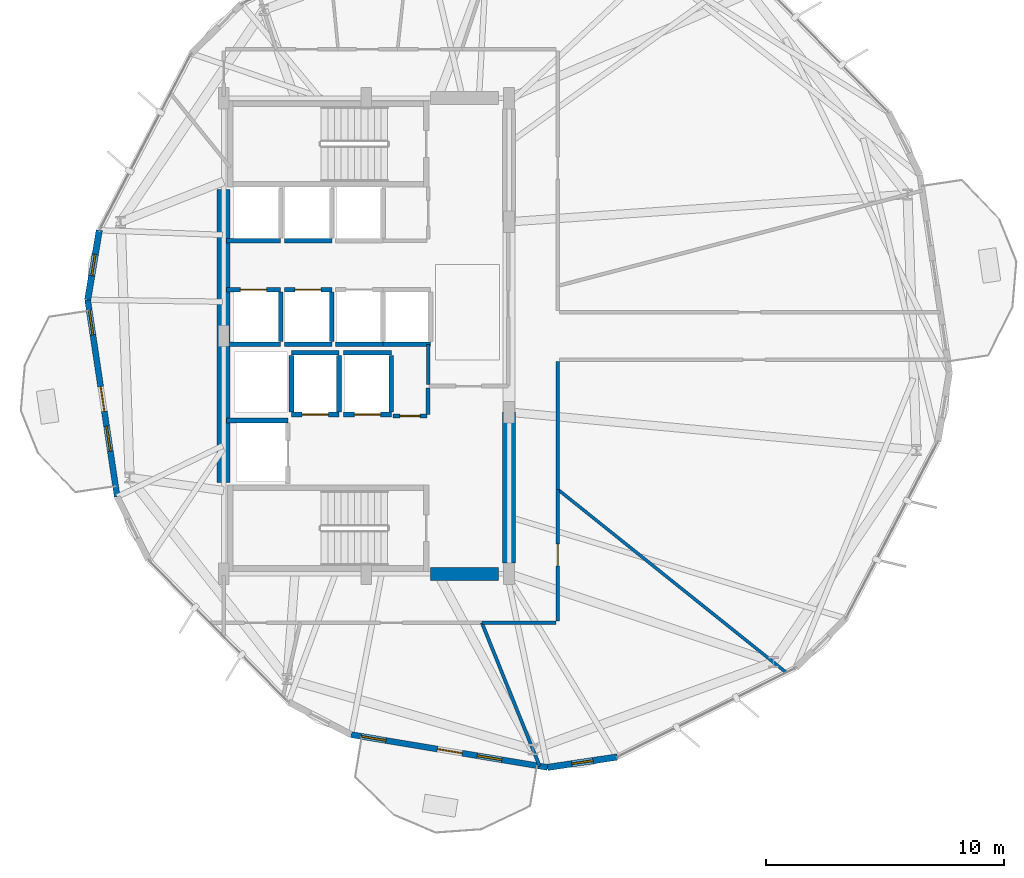
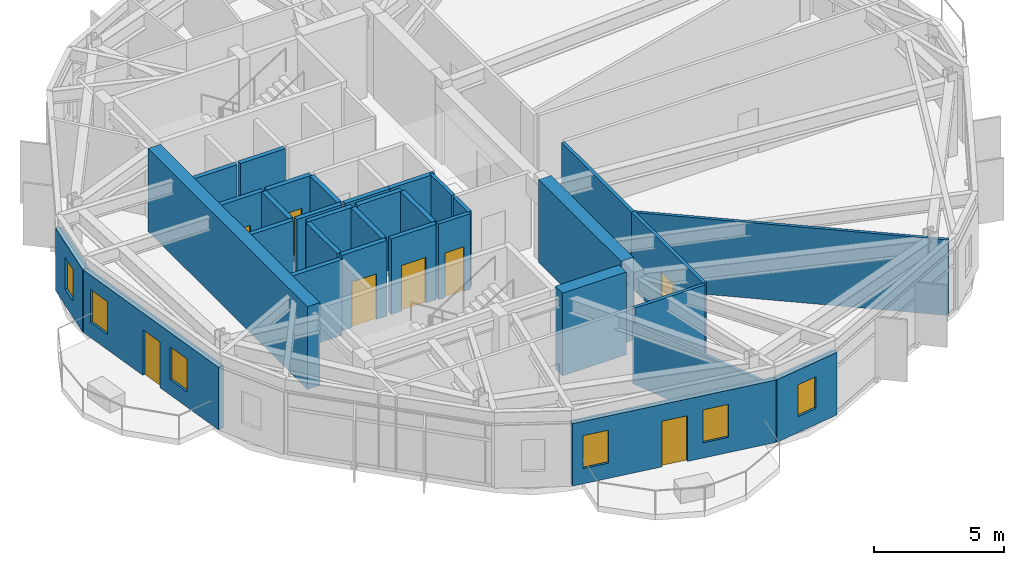
# One storey, part 17 of 22: 33 walls, 8 doors, 6 windows, 14 openings.
"""IFC4 building model written with IfcOpenShell, lengths in metres."""

from ifc_helpers import new_model, si_unit, direction, frame, frame_2d, origin, place, context, subcontext, project, spatial, rectangle, extrude, material, layer, layer_set, type_object, element, fill, save


model = new_model("IFC4")

# Units and contexts
model_context = context("Model", 3, precision=1e-05, world=origin(), true_north=direction((0.0, 1.0)))
body_context = subcontext(model_context, "Body", "Model", "MODEL_VIEW")
ifc_project = project(units=[si_unit("LENGTHUNIT", "METRE"), si_unit("AREAUNIT", "SQUARE_METRE"), si_unit("VOLUMEUNIT", "CUBIC_METRE"), si_unit("PLANEANGLEUNIT", "RADIAN"), si_unit("MASSUNIT", "GRAM", prefix="KILO")], contexts=[model_context])

# Site, building, storey
site_placement = place(None, origin())
site = spatial("IfcSite", under=ifc_project, at=site_placement, CompositionType="ELEMENT")
building_placement = place(site_placement, origin())
building = spatial("IfcBuilding", under=site, at=building_placement, Name="Soratama Intermodal Tower", CompositionType="ELEMENT")
storey_placement = place(building_placement, frame((0.0, 0.0, 130.300048828125)))
storey = spatial("IfcBuildingStorey", under=building, at=storey_placement, Name="L31", CompositionType="ELEMENT", Elevation=130.300048828125)

# Wall, openings, door, windows
ifc_material_1 = material(Name="Concrete f'c 42 MPa", Category="concrete")
ifc_layer_1 = layer(ifc_material_1, 0.25)
ifc_layer_set_1 = layer_set([ifc_layer_1], Name="Concrete f'c 42 MPa")
wall_type_1 = type_object("IfcWallType", Name="EW-BAL-250", PredefinedType="SOLIDWALL", material=ifc_layer_set_1)
wall_1_placement = place(storey_placement, frame((26.885009765625, 26.52099609375, 0.0), z_axis=(0.0, 0.0, 1.0), x_axis=(0.148183669797, -0.988959857631, 0.0)))
wall_1 = element("IfcWall", 1, at=wall_1_placement, inside=storey, type_object=wall_type_1, Name="L31 Terrace Wall F05", PredefinedType="SOLIDWALL", context=body_context, shape_type="SweptSolid", body=[
    extrude(rectangle(XDim=8.376220703125, YDim=0.25, at=frame_2d((4.18798828125, 0.0))), origin(), (0.0, 0.0, 1.0), 2.93896484375),
])
opening_1_placement = place(wall_1_placement, frame((3.68798828125, 0.0, 0.0)))
opening_1 = element("IfcOpeningElement", 2, at=opening_1_placement, cuts=wall_1, Name="Opening ED-5", PredefinedType="OPENING", context=body_context, shape_type="SweptSolid", body=[
    extrude(rectangle(XDim=1.050048828125, YDim=2.14990234375, at=frame_2d((0.52490234375, 1.074951171875))), frame((0.0, 0.135009765625, 0.0), z_axis=(0.0, -1.0, 0.0), x_axis=(1.0, 0.0, 0.0)), (0.0, 0.0, 1.0), 0.27001953125),
])
opening_2_placement = place(wall_1_placement, frame((0.43994140625, 0.0, 0.719970703125)))
opening_2 = element("IfcOpeningElement", 3, at=opening_2_placement, cuts=wall_1, Name="Opening WN-5", PredefinedType="OPENING", context=body_context, shape_type="SweptSolid", body=[
    extrude(rectangle(XDim=1.050048828125, YDim=1.550048828125, at=frame_2d((0.52490234375, 0.77490234375))), frame((0.0, 0.135009765625, 0.0), z_axis=(0.0, -1.0, 0.0), x_axis=(1.0, 0.0, 0.0)), (0.0, 0.0, 1.0), 0.27001953125),
])
opening_3_placement = place(wall_1_placement, frame((5.378173828125, 0.0, 0.719970703125)))
opening_3 = element("IfcOpeningElement", 4, at=opening_3_placement, cuts=wall_1, Name="Opening WN-5", PredefinedType="OPENING", context=body_context, shape_type="SweptSolid", body=[
    extrude(rectangle(XDim=1.050048828125, YDim=1.550048828125, at=frame_2d((0.52490234375, 0.77490234375))), frame((0.0, 0.135009765625, 0.0), z_axis=(0.0, -1.0, 0.0), x_axis=(1.0, 0.0, 0.0)), (0.0, 0.0, 1.0), 0.27001953125),
])
ifc_material_2 = material(Name="Double-glazed aluminium door", Category="aluminium")
door_type_1 = type_object("IfcDoorType", Name="DR-BAL-1050", OperationType="NOTDEFINED", PredefinedType="DOOR", material=ifc_material_2)
door_1_placement = place(opening_1_placement, origin())
door_1 = element("IfcDoor", 5, at=door_1_placement, inside=storey, type_object=door_type_1, Name="L31 Balcony Door F05", OperationType="SINGLE_SWING_LEFT", OverallHeight=2.14990234375, OverallWidth=1.050048828125, PredefinedType="DOOR", context=body_context, shape_type="SweptSolid", body=[
    extrude(rectangle(XDim=1.050048828125, YDim=2.14990234375, at=frame_2d((0.52490234375, 1.074951171875))), frame((0.0, 0.02490234375, 0.0), z_axis=(0.0, -1.0, 0.0), x_axis=(1.0, 0.0, 0.0)), (0.0, 0.0, 1.0), 0.050048828125),
])
fill(opening_1, door_1)
ifc_material_3 = material(Name="Double-glazed aluminium window", Category="aluminium")
window_type_1 = type_object("IfcWindowType", Name="WN-FAC-1050", PartitioningType="SINGLE_PANEL", PredefinedType="WINDOW", material=ifc_material_3)
window_1_placement = place(opening_2_placement, origin())
window_1 = element("IfcWindow", 6, at=window_1_placement, inside=storey, type_object=window_type_1, Name="L31 Window A F05", OverallHeight=1.550048828125, OverallWidth=1.050048828125, PartitioningType="SINGLE_PANEL", PredefinedType="WINDOW", context=body_context, shape_type="SweptSolid", body=[
    extrude(rectangle(XDim=1.050048828125, YDim=1.550048828125, at=frame_2d((0.52490234375, 0.77490234375))), frame((0.0, 0.030029296875, 0.0), z_axis=(0.0, -1.0, 0.0), x_axis=(1.0, 0.0, 0.0)), (0.0, 0.0, 1.0), 0.06005859375),
])
fill(opening_2, window_1)
window_2_placement = place(opening_3_placement, origin())
window_2 = element("IfcWindow", 7, at=window_2_placement, inside=storey, type_object=window_type_1, Name="L31 Window B F05", OverallHeight=1.550048828125, OverallWidth=1.050048828125, PartitioningType="SINGLE_PANEL", PredefinedType="WINDOW", context=body_context, shape_type="SweptSolid", body=[
    extrude(rectangle(XDim=1.050048828125, YDim=1.550048828125, at=frame_2d((0.52490234375, 0.77490234375))), frame((0.0, 0.030029296875, 0.0), z_axis=(0.0, -1.0, 0.0), x_axis=(1.0, 0.0, 0.0)), (0.0, 0.0, 1.0), 0.06005859375),
])
fill(opening_3, window_2)

wall_2_placement = place(storey_placement, frame((37.95556640625, 8.24169921875, 0.0), z_axis=(0.0, 0.0, 1.0), x_axis=(0.986341882167, -0.164710933101, 0.0)))
wall_2 = element("IfcWall", 8, at=wall_2_placement, inside=storey, type_object=wall_type_1, Name="L31 Terrace Wall F07", PredefinedType="SOLIDWALL", context=body_context, shape_type="SweptSolid", body=[
    extrude(rectangle(XDim=8.376220703125, YDim=0.25, at=frame_2d((4.18798828125, 0.0))), origin(), (0.0, 0.0, 1.0), 2.93896484375),
])
opening_4_placement = place(wall_2_placement, frame((3.68798828125, 0.0, 0.0)))
opening_4 = element("IfcOpeningElement", 9, at=opening_4_placement, cuts=wall_2, Name="Opening ED-5", PredefinedType="OPENING", context=body_context, shape_type="SweptSolid", body=[
    extrude(rectangle(XDim=1.050048828125, YDim=2.14990234375, at=frame_2d((0.52490234375, 1.074951171875))), frame((0.0, 0.135009765625, 0.0), z_axis=(0.0, -1.0, 0.0), x_axis=(1.0, 0.0, 0.0)), (0.0, 0.0, 1.0), 0.27001953125),
])
opening_5_placement = place(wall_2_placement, frame((0.43994140625, 0.0, 0.719970703125)))
opening_5 = element("IfcOpeningElement", 10, at=opening_5_placement, cuts=wall_2, Name="Opening WN-5", PredefinedType="OPENING", context=body_context, shape_type="SweptSolid", body=[
    extrude(rectangle(XDim=1.050048828125, YDim=1.550048828125, at=frame_2d((0.52490234375, 0.77490234375))), frame((0.0, 0.135009765625, 0.0), z_axis=(0.0, -1.0, 0.0), x_axis=(1.0, 0.0, 0.0)), (0.0, 0.0, 1.0), 0.27001953125),
])
opening_6_placement = place(wall_2_placement, frame((5.378173828125, 0.0, 0.719970703125)))
opening_6 = element("IfcOpeningElement", 11, at=opening_6_placement, cuts=wall_2, Name="Opening WN-5", PredefinedType="OPENING", context=body_context, shape_type="SweptSolid", body=[
    extrude(rectangle(XDim=1.050048828125, YDim=1.550048828125, at=frame_2d((0.52490234375, 0.77490234375))), frame((0.0, 0.135009765625, 0.0), z_axis=(0.0, -1.0, 0.0), x_axis=(1.0, 0.0, 0.0)), (0.0, 0.0, 1.0), 0.27001953125),
])
door_2_placement = place(opening_4_placement, origin())
door_2 = element("IfcDoor", 12, at=door_2_placement, inside=storey, type_object=door_type_1, Name="L31 Balcony Door F07", OperationType="SINGLE_SWING_LEFT", OverallHeight=2.14990234375, OverallWidth=1.050048828125, PredefinedType="DOOR", context=body_context, shape_type="SweptSolid", body=[
    extrude(rectangle(XDim=1.050048828125, YDim=2.14990234375, at=frame_2d((0.52490234375, 1.074951171875))), frame((0.0, 0.02490234375, 0.0), z_axis=(0.0, -1.0, 0.0), x_axis=(1.0, 0.0, 0.0)), (0.0, 0.0, 1.0), 0.050048828125),
])
fill(opening_4, door_2)
window_3_placement = place(opening_5_placement, origin())
window_3 = element("IfcWindow", 13, at=window_3_placement, inside=storey, type_object=window_type_1, Name="L31 Window A F07", OverallHeight=1.550048828125, OverallWidth=1.050048828125, PartitioningType="SINGLE_PANEL", PredefinedType="WINDOW", context=body_context, shape_type="SweptSolid", body=[
    extrude(rectangle(XDim=1.050048828125, YDim=1.550048828125, at=frame_2d((0.52490234375, 0.77490234375))), frame((0.0, 0.030029296875, 0.0), z_axis=(0.0, -1.0, 0.0), x_axis=(1.0, 0.0, 0.0)), (0.0, 0.0, 1.0), 0.06005859375),
])
fill(opening_5, window_3)
window_4_placement = place(opening_6_placement, origin())
window_4 = element("IfcWindow", 14, at=window_4_placement, inside=storey, type_object=window_type_1, Name="L31 Window B F07", OverallHeight=1.550048828125, OverallWidth=1.050048828125, PartitioningType="SINGLE_PANEL", PredefinedType="WINDOW", context=body_context, shape_type="SweptSolid", body=[
    extrude(rectangle(XDim=1.050048828125, YDim=1.550048828125, at=frame_2d((0.52490234375, 0.77490234375))), frame((0.0, 0.030029296875, 0.0), z_axis=(0.0, -1.0, 0.0), x_axis=(1.0, 0.0, 0.0)), (0.0, 0.0, 1.0), 0.06005859375),
])
fill(opening_6, window_4)

# Wall, opening, window
ifc_material_4 = material(Name="Concrete f'c 42 MPa", Category="concrete")
ifc_layer_2 = layer(ifc_material_4, 0.27001953125)
ifc_layer_set_2 = layer_set([ifc_layer_2], Name="Concrete f'c 42 MPa")
wall_type_2 = type_object("IfcWallType", Name="EW-CRN-270", PredefinedType="SOLIDWALL", material=ifc_layer_set_2)
wall_3_placement = place(storey_placement, frame((27.373779296875, 29.447021484375, 0.0), z_axis=(0.0, 0.0, 1.0), x_axis=(-0.164759305297, -0.986333803191, 0.0)))
wall_3 = element("IfcWall", 15, at=wall_3_placement, inside=storey, type_object=wall_type_2, Name="L31 Corner Closure Wall 04", PredefinedType="SOLIDWALL", context=body_context, shape_type="SweptSolid", body=[
    extrude(rectangle(XDim=2.966552734375, YDim=0.27001953125, at=frame_2d((1.4833984375, 0.0))), origin(), (0.0, 0.0, 1.0), 2.93896484375),
])
opening_7_placement = place(wall_3_placement, frame((1.033203125, 0.0, 0.75)))
opening_7 = element("IfcOpeningElement", 16, at=opening_7_placement, cuts=wall_3, Name="Opening WN-6", PredefinedType="OPENING", context=body_context, shape_type="SweptSolid", body=[
    extrude(rectangle(XDim=0.89990234375, YDim=1.5, at=frame_2d((0.449951171875, 0.75))), frame((0.0, 0.14501953125, 0.0), z_axis=(0.0, -1.0, 0.0), x_axis=(1.0, 0.0, 0.0)), (0.0, 0.0, 1.0), 0.2900390625),
])
ifc_material_5 = material(Name="Double-glazed aluminium window", Category="aluminium")
window_type_2 = type_object("IfcWindowType", Name="WN-FAC-900", PartitioningType="SINGLE_PANEL", PredefinedType="WINDOW", material=ifc_material_5)
window_5_placement = place(opening_7_placement, origin())
window_5 = element("IfcWindow", 17, at=window_5_placement, inside=storey, type_object=window_type_2, Name="L31 Corner Window 04", OverallHeight=1.5, OverallWidth=0.89990234375, PartitioningType="SINGLE_PANEL", PredefinedType="WINDOW", context=body_context, shape_type="SweptSolid", body=[
    extrude(rectangle(XDim=0.89990234375, YDim=1.5, at=frame_2d((0.449951171875, 0.75))), frame((0.0, 0.030029296875, 0.0), z_axis=(0.0, -1.0, 0.0), x_axis=(1.0, 0.0, 0.0)), (0.0, 0.0, 1.0), 0.06005859375),
])
fill(opening_7, window_5)

wall_4_placement = place(storey_placement, frame((46.21728515625, 6.862060546875, 0.0), z_axis=(0.0, 0.0, 1.0), x_axis=(0.988967117617, 0.148135209429, 0.0)))
wall_4 = element("IfcWall", 18, at=wall_4_placement, inside=storey, type_object=wall_type_2, Name="L31 Corner Closure Wall 07", PredefinedType="SOLIDWALL", context=body_context, shape_type="SweptSolid", body=[
    extrude(rectangle(XDim=2.966552734375, YDim=0.27001953125, at=frame_2d((1.4833984375, 0.0))), origin(), (0.0, 0.0, 1.0), 2.93896484375),
])
opening_8_placement = place(wall_4_placement, frame((1.033203125, 0.0, 0.75)))
opening_8 = element("IfcOpeningElement", 19, at=opening_8_placement, cuts=wall_4, Name="Opening WN-6", PredefinedType="OPENING", context=body_context, shape_type="SweptSolid", body=[
    extrude(rectangle(XDim=0.89990234375, YDim=1.5, at=frame_2d((0.449951171875, 0.75))), frame((0.0, 0.14501953125, 0.0), z_axis=(0.0, -1.0, 0.0), x_axis=(1.0, 0.0, 0.0)), (0.0, 0.0, 1.0), 0.2900390625),
])
window_6_placement = place(opening_8_placement, origin())
window_6 = element("IfcWindow", 20, at=window_6_placement, inside=storey, type_object=window_type_2, Name="L31 Corner Window 07", OverallHeight=1.5, OverallWidth=0.89990234375, PartitioningType="SINGLE_PANEL", PredefinedType="WINDOW", context=body_context, shape_type="SweptSolid", body=[
    extrude(rectangle(XDim=0.89990234375, YDim=1.5, at=frame_2d((0.449951171875, 0.75))), frame((0.0, 0.030029296875, 0.0), z_axis=(0.0, -1.0, 0.0), x_axis=(1.0, 0.0, 0.0)), (0.0, 0.0, 1.0), 0.06005859375),
])
fill(opening_8, window_6)

# Wall, opening, door
ifc_material_6 = material(Name="Fire-rated gypsum stud partition", Category="concrete")
ifc_layer_3 = layer(ifc_material_6, 0.14990234375)
ifc_layer_set_3 = layer_set([ifc_layer_3], Name="Fire-rated gypsum stud partition")
wall_type_3 = type_object("IfcWallType", Name="IW-PART-R150", PredefinedType="PARTITIONING", material=ifc_layer_set_3)
wall_5_placement = place(storey_placement, frame((46.64990234375, 18.550048828125, 0.0), z_axis=(0.0, 0.0, 1.0), x_axis=(0.0, -1.0, 0.0)))
wall_5 = element("IfcWall", 21, at=wall_5_placement, inside=storey, type_object=wall_type_3, Name="L31 Partition W-L31-TP010", PredefinedType="PARTITIONING", context=body_context, shape_type="SweptSolid", body=[
    extrude(rectangle(XDim=5.530029296875, YDim=0.14990234375, at=frame_2d((2.76513671875, 0.0))), origin(), (0.0, 0.0, 1.0), 3.56005859375),
])
opening_9_placement = place(wall_5_placement, frame((2.2900390625, 0.0, 0.0)))
opening_9 = element("IfcOpeningElement", 22, at=opening_9_placement, cuts=wall_5, Name="Opening ID-6", PredefinedType="OPENING", context=body_context, shape_type="SweptSolid", body=[
    extrude(rectangle(XDim=0.919921875, YDim=2.1201171875, at=frame_2d((0.4599609375, 1.06005859375))), frame((0.0, 0.0849609375, 0.0), z_axis=(0.0, -1.0, 0.0), x_axis=(1.0, 0.0, 0.0)), (0.0, 0.0, 1.0), 0.169921875),
])
ifc_material_7 = material(Name="Solid hardwood acoustic door", Category="wood")
door_type_2 = type_object("IfcDoorType", Name="DR-ROOM-920", OperationType="NOTDEFINED", PredefinedType="DOOR", material=ifc_material_7)
door_3_placement = place(opening_9_placement, origin())
door_3 = element("IfcDoor", 23, at=door_3_placement, inside=storey, type_object=door_type_2, Name="L31 Door D-L31-TP006", OperationType="SINGLE_SWING_LEFT", OverallHeight=2.1201171875, OverallWidth=0.919921875, PredefinedType="DOOR", context=body_context, shape_type="SweptSolid", body=[
    extrude(rectangle(XDim=0.919921875, YDim=2.1201171875, at=frame_2d((0.4599609375, 1.06005859375))), frame((0.0, 0.02490234375, 0.0), z_axis=(0.0, -1.0, 0.0), x_axis=(1.0, 0.0, 0.0)), (0.0, 0.0, 1.0), 0.050048828125),
])
fill(opening_9, door_3)

# Walls
wall_6_placement = place(storey_placement, frame((46.64990234375, 23.929931640625, 0.0), z_axis=(0.0, 0.0, 1.0), x_axis=(0.0, -1.0, 0.0)))
element("IfcWall", 24, at=wall_6_placement, inside=storey, type_object=wall_type_3, Name="L31 Partition W-L31-TP012", PredefinedType="PARTITIONING", context=body_context, shape_type="SweptSolid", body=[
    extrude(rectangle(XDim=5.3798828125, YDim=0.14990234375, at=frame_2d((2.68994140625, 0.0))), origin(), (0.0, 0.0, 1.0), 3.56005859375),
])
wall_7_placement = place(storey_placement, frame((46.580078125, 12.949951171875, 0.0), z_axis=(0.0, 0.0, 1.0), x_axis=(-1.0, 0.0, 0.0)))
element("IfcWall", 25, at=wall_7_placement, inside=storey, type_object=wall_type_3, Name="L31 Partition W-L31-TP019", PredefinedType="PARTITIONING", context=body_context, shape_type="SweptSolid", body=[
    extrude(rectangle(XDim=3.125, YDim=0.14990234375, at=frame_2d((1.5625, 0.0))), origin(), (0.0, 0.0, 1.0), 3.56005859375),
])
wall_8_placement = place(storey_placement, frame((41.199951171875, 22.9599609375, 0.0), z_axis=(0.0, 0.0, 1.0), x_axis=(0.0, 1.0, 0.0)))
element("IfcWall", 26, at=wall_8_placement, inside=storey, type_object=wall_type_3, Name="L31 Partition W-L31-TP029", PredefinedType="PARTITIONING", context=body_context, shape_type="SweptSolid", body=[
    extrude(rectangle(XDim=1.68994140625, YDim=0.14990234375, at=frame_2d((0.844970703125, 0.0))), origin(), (0.0, 0.0, 1.0), 3.56005859375),
])

# Wall, opening, door
ifc_material_8 = material(Name="Fire-rated gypsum stud partition", Category="concrete")
ifc_layer_4 = layer(ifc_material_8, 0.169921875)
ifc_layer_set_4 = layer_set([ifc_layer_4], Name="Fire-rated gypsum stud partition")
wall_type_4 = type_object("IfcWallType", Name="IW-PART-R170", PredefinedType="PARTITIONING", material=ifc_layer_set_4)
wall_9_placement = place(storey_placement, frame((39.719970703125, 21.639892578125, 0.0), z_axis=(0.0, 0.0, 1.0), x_axis=(1.0, 0.0, 0.0)))
wall_9 = element("IfcWall", 27, at=wall_9_placement, inside=storey, type_object=wall_type_4, Name="L31 Partition W-L31-TP030", PredefinedType="PARTITIONING", context=body_context, shape_type="SweptSolid", body=[
    extrude(rectangle(XDim=1.43994140625, YDim=0.169921875, at=frame_2d((0.719970703125, 0.0))), origin(), (0.0, 0.0, 1.0), 3.56005859375),
])
opening_10_placement = place(wall_9_placement, frame((0.294921875, 0.0, 0.0)))
opening_10 = element("IfcOpeningElement", 28, at=opening_10_placement, cuts=wall_9, Name="Opening ID-4", PredefinedType="OPENING", context=body_context, shape_type="SweptSolid", body=[
    extrude(rectangle(XDim=0.85009765625, YDim=2.10009765625, at=frame_2d((0.425048828125, 1.050048828125))), frame((0.0, 0.094970703125, 0.0), z_axis=(0.0, -1.0, 0.0), x_axis=(1.0, 0.0, 0.0)), (0.0, 0.0, 1.0), 0.18994140625),
])
ifc_material_9 = material(Name="Solid hardwood acoustic door", Category="wood")
door_type_3 = type_object("IfcDoorType", Name="DR-BATH-850", OperationType="NOTDEFINED", PredefinedType="DOOR", material=ifc_material_9)
door_4_placement = place(opening_10_placement, origin())
door_4 = element("IfcDoor", 29, at=door_4_placement, inside=storey, type_object=door_type_3, Name="L31 Door D-L31-TP014", OperationType="SINGLE_SWING_LEFT", OverallHeight=2.10009765625, OverallWidth=0.85009765625, PredefinedType="DOOR", context=body_context, shape_type="SweptSolid", body=[
    extrude(rectangle(XDim=0.85009765625, YDim=2.10009765625, at=frame_2d((0.425048828125, 1.050048828125))), frame((0.0, 0.02490234375, 0.0), z_axis=(0.0, -1.0, 0.0), x_axis=(1.0, 0.0, 0.0)), (0.0, 0.0, 1.0), 0.050048828125),
])
fill(opening_10, door_4)

# Walls
wall_10_placement = place(storey_placement, frame((41.199951171875, 21.699951171875, 0.0), z_axis=(0.0, 0.0, 1.0), x_axis=(0.0, 1.0, 0.0)))
element("IfcWall", 30, at=wall_10_placement, inside=storey, type_object=wall_type_4, Name="L31 Partition W-L31-TP031", PredefinedType="PARTITIONING", context=body_context, shape_type="SweptSolid", body=[
    extrude(rectangle(XDim=1.1201171875, YDim=0.169921875, at=frame_2d((0.56005859375, 0.0))), origin(), (0.0, 0.0, 1.0), 3.56005859375),
])
ifc_material_10 = material(Name="Fire-rated gypsum stud partition", Category="concrete")
ifc_layer_5 = layer(ifc_material_10, 0.1298828125)
ifc_layer_set_5 = layer_set([ifc_layer_5], Name="Fire-rated gypsum stud partition")
wall_type_5 = type_object("IfcWallType", Name="IW-PART-S130", PredefinedType="PARTITIONING", material=ifc_layer_set_5)
wall_11_placement = place(storey_placement, frame((46.64990234375, 18.550048828125, 0.0), z_axis=(0.0, 0.0, 1.0), x_axis=(0.78035987764, -0.625330681615, 0.0)))
element("IfcWall", 31, at=wall_11_placement, inside=storey, type_object=wall_type_5, Name="L31 Partition W-L31-TP004", PredefinedType="PARTITIONING", context=body_context, shape_type="SweptSolid", body=[
    extrude(rectangle(XDim=12.31494140625, YDim=0.1298828125, at=frame_2d((6.157470703125, 0.0))), origin(), (0.0, 0.0, 1.0), 3.56005859375),
])
ifc_material_11 = material(Name="Fire-rated gypsum stud partition", Category="concrete")
ifc_layer_6 = layer(ifc_material_11, 0.139892578125)
ifc_layer_set_6 = layer_set([ifc_layer_6], Name="Fire-rated gypsum stud partition")
wall_type_6 = type_object("IfcWallType", Name="IW-PART-S140", PredefinedType="PARTITIONING", material=ifc_layer_set_6)
wall_12_placement = place(storey_placement, frame((43.455078125, 12.949951171875, 0.0), z_axis=(0.0, 0.0, 1.0), x_axis=(0.373867836137, -0.927481989638, 0.0)))
element("IfcWall", 32, at=wall_12_placement, inside=storey, type_object=wall_type_6, Name="L31 Partition W-L31-TP008", PredefinedType="PARTITIONING", context=body_context, shape_type="SweptSolid", body=[
    extrude(rectangle(XDim=6.504638671875, YDim=0.139892578125, at=frame_2d((3.25244140625, 0.0))), origin(), (0.0, 0.0, 1.0), 2.85498046875),
])

# Wall, opening, door
ifc_material_12 = material(Name="Concrete f'c 42 MPa", Category="concrete")
ifc_layer_7 = layer(ifc_material_12, 0.199951171875)
ifc_layer_set_7 = layer_set([ifc_layer_7], Name="Concrete f'c 42 MPa")
wall_type_7 = type_object("IfcWallType", Name="IW-SHAFT-200", PredefinedType="SOLIDWALL", material=ifc_layer_set_7)
wall_13_placement = place(storey_placement, frame((35.449951171875, 21.699951171875, 0.0), z_axis=(0.0, 0.0, 1.0), x_axis=(1.0, 0.0, 0.0)))
wall_13 = element("IfcWall", 33, at=wall_13_placement, inside=storey, type_object=wall_type_7, Name="L31 FFL-1 Hoistway Wall S", PredefinedType="SOLIDWALL", context=body_context, shape_type="SweptSolid", body=[
    extrude(rectangle(XDim=2.0, YDim=0.199951171875, at=frame_2d((1.0, 0.0))), origin(), (0.0, 0.0, 1.0), 3.56005859375),
])
opening_11_placement = place(wall_13_placement, frame((0.449951171875, 0.0, 0.0)))
opening_11 = element("IfcOpeningElement", 34, at=opening_11_placement, cuts=wall_13, Name="Opening LD-1", PredefinedType="OPENING", context=body_context, shape_type="SweptSolid", body=[
    extrude(rectangle(XDim=1.10009765625, YDim=2.14990234375, at=frame_2d((0.550048828125, 1.074951171875))), frame((0.0, 0.10986328125, 0.0), z_axis=(0.0, -1.0, 0.0), x_axis=(1.0, 0.0, 0.0)), (0.0, 0.0, 1.0), 0.219970703125),
])
ifc_material_13 = material(Name="Steel fire door", Category="steel")
door_type_4 = type_object("IfcDoorType", Name="DR-LIFT-SLIDE", OperationType="NOTDEFINED", PredefinedType="DOOR", material=ifc_material_13)
door_5_placement = place(opening_11_placement, origin())
door_5 = element("IfcDoor", 35, at=door_5_placement, inside=storey, type_object=door_type_4, Name="L31 FFL-1 Sliding Landing Door", OperationType="SLIDING_TO_LEFT", OverallHeight=2.14990234375, OverallWidth=1.10009765625, PredefinedType="DOOR", context=body_context, shape_type="SweptSolid", body=[
    extrude(rectangle(XDim=1.10009765625, YDim=2.14990234375, at=frame_2d((0.550048828125, 1.074951171875))), frame((0.0, 0.02490234375, 0.0), z_axis=(0.0, -1.0, 0.0), x_axis=(1.0, 0.0, 0.0)), (0.0, 0.0, 1.0), 0.050048828125),
])
fill(opening_11, door_5)

# Walls
wall_14_placement = place(storey_placement, frame((35.449951171875, 24.300048828125, 0.0), z_axis=(0.0, 0.0, 1.0), x_axis=(1.0, 0.0, 0.0)))
element("IfcWall", 36, at=wall_14_placement, inside=storey, type_object=wall_type_7, Name="L31 FFL-1 Hoistway Wall N", PredefinedType="SOLIDWALL", context=body_context, shape_type="SweptSolid", body=[
    extrude(rectangle(XDim=2.0, YDim=0.199951171875, at=frame_2d((1.0, 0.0))), origin(), (0.0, 0.0, 1.0), 3.56005859375),
])
for number, where, z_axis, x_axis, name in (
    (37, (35.449951171875, 21.81005859375, 0.0), (0.0, 0.0, 1.0), (0.0, 1.0, 0.0), "L31 FFL-1 Hoistway Wall W"),
    (38, (37.449951171875, 21.81005859375, 0.0), (0.0, 0.0, 1.0), (0.0, 1.0, 0.0), "L31 FFL-1 Hoistway Wall E"),
):
    element("IfcWall", number, at=place(storey_placement, frame(where, z_axis=z_axis, x_axis=x_axis)), inside=storey, type_object=wall_type_7, Name=name, PredefinedType="SOLIDWALL", context=body_context, shape_type="SweptSolid", body=[
        extrude(rectangle(XDim=2.3798828125, YDim=0.199951171875, at=frame_2d((1.18994140625, 0.0))), origin(), (0.0, 0.0, 1.0), 3.56005859375),
    ])

# Wall, opening, door
wall_15_placement = place(storey_placement, frame((37.64990234375, 21.699951171875, 0.0), z_axis=(0.0, 0.0, 1.0), x_axis=(1.0, 0.0, 0.0)))
wall_15 = element("IfcWall", 39, at=wall_15_placement, inside=storey, type_object=wall_type_7, Name="L31 FFL-2 Hoistway Wall S", PredefinedType="SOLIDWALL", context=body_context, shape_type="SweptSolid", body=[
    extrude(rectangle(XDim=2.0, YDim=0.199951171875, at=frame_2d((1.0, 0.0))), origin(), (0.0, 0.0, 1.0), 3.56005859375),
])
opening_12_placement = place(wall_15_placement, frame((0.449951171875, 0.0, 0.0)))
opening_12 = element("IfcOpeningElement", 40, at=opening_12_placement, cuts=wall_15, Name="Opening LD-1", PredefinedType="OPENING", context=body_context, shape_type="SweptSolid", body=[
    extrude(rectangle(XDim=1.10009765625, YDim=2.14990234375, at=frame_2d((0.550048828125, 1.074951171875))), frame((0.0, 0.10986328125, 0.0), z_axis=(0.0, -1.0, 0.0), x_axis=(1.0, 0.0, 0.0)), (0.0, 0.0, 1.0), 0.219970703125),
])
door_6_placement = place(opening_12_placement, origin())
door_6 = element("IfcDoor", 41, at=door_6_placement, inside=storey, type_object=door_type_4, Name="L31 FFL-2 Sliding Landing Door", OperationType="SLIDING_TO_LEFT", OverallHeight=2.14990234375, OverallWidth=1.10009765625, PredefinedType="DOOR", context=body_context, shape_type="SweptSolid", body=[
    extrude(rectangle(XDim=1.10009765625, YDim=2.14990234375, at=frame_2d((0.550048828125, 1.074951171875))), frame((0.0, 0.02490234375, 0.0), z_axis=(0.0, -1.0, 0.0), x_axis=(1.0, 0.0, 0.0)), (0.0, 0.0, 1.0), 0.050048828125),
])
fill(opening_12, door_6)

# Walls
wall_16_placement = place(storey_placement, frame((37.64990234375, 24.300048828125, 0.0), z_axis=(0.0, 0.0, 1.0), x_axis=(1.0, 0.0, 0.0)))
element("IfcWall", 42, at=wall_16_placement, inside=storey, type_object=wall_type_7, Name="L31 FFL-2 Hoistway Wall N", PredefinedType="SOLIDWALL", context=body_context, shape_type="SweptSolid", body=[
    extrude(rectangle(XDim=2.0, YDim=0.199951171875, at=frame_2d((1.0, 0.0))), origin(), (0.0, 0.0, 1.0), 3.56005859375),
])
wall_17_placement = place(storey_placement, frame((39.64990234375, 21.81005859375, 0.0), z_axis=(0.0, 0.0, 1.0), x_axis=(0.0, 1.0, 0.0)))
element("IfcWall", 43, at=wall_17_placement, inside=storey, type_object=wall_type_7, Name="L31 FFL-2 Hoistway Wall E", PredefinedType="SOLIDWALL", context=body_context, shape_type="SweptSolid", body=[
    extrude(rectangle(XDim=2.3798828125, YDim=0.199951171875, at=frame_2d((1.18994140625, 0.0))), origin(), (0.0, 0.0, 1.0), 3.56005859375),
])
wall_18_placement = place(storey_placement, frame((32.719970703125, 21.449951171875, 0.0), z_axis=(0.0, 0.0, 1.0), x_axis=(1.0, 0.0, 0.0)))
element("IfcWall", 44, at=wall_18_placement, inside=storey, type_object=wall_type_7, Name="L31 SVL-1 Hoistway Wall N", PredefinedType="SOLIDWALL", context=body_context, shape_type="SweptSolid", body=[
    extrude(rectangle(XDim=2.580078125, YDim=0.199951171875, at=frame_2d((1.2900390625, 0.0))), origin(), (0.0, 0.0, 1.0), 3.56005859375),
])
wall_19_placement = place(storey_placement, frame((32.719970703125, 24.64990234375, 0.0), z_axis=(0.0, 0.0, 1.0), x_axis=(1.0, 0.0, 0.0)))
element("IfcWall", 45, at=wall_19_placement, inside=storey, type_object=wall_type_7, Name="L31 PL-L1 Hoistway Wall S", PredefinedType="SOLIDWALL", context=body_context, shape_type="SweptSolid", body=[
    extrude(rectangle(XDim=2.280029296875, YDim=0.199951171875, at=frame_2d((1.14013671875, 0.0))), origin(), (0.0, 0.0, 1.0), 3.56005859375),
])

# Wall, opening, door
wall_20_placement = place(storey_placement, frame((32.719970703125, 26.949951171875, 0.0), z_axis=(0.0, 0.0, 1.0), x_axis=(1.0, 0.0, 0.0)))
wall_20 = element("IfcWall", 46, at=wall_20_placement, inside=storey, type_object=wall_type_7, Name="L31 PL-L1 Hoistway Wall N", PredefinedType="SOLIDWALL", context=body_context, shape_type="SweptSolid", body=[
    extrude(rectangle(XDim=2.280029296875, YDim=0.199951171875, at=frame_2d((1.14013671875, 0.0))), origin(), (0.0, 0.0, 1.0), 3.56005859375),
])
opening_13_placement = place(wall_20_placement, frame((0.590087890625, 0.0, 0.0)))
opening_13 = element("IfcOpeningElement", 47, at=opening_13_placement, cuts=wall_20, Name="Opening LD-1", PredefinedType="OPENING", context=body_context, shape_type="SweptSolid", body=[
    extrude(rectangle(XDim=1.10009765625, YDim=2.14990234375, at=frame_2d((0.550048828125, 1.074951171875))), frame((0.0, 0.10986328125, 0.0), z_axis=(0.0, -1.0, 0.0), x_axis=(1.0, 0.0, 0.0)), (0.0, 0.0, 1.0), 0.219970703125),
])
door_7_placement = place(opening_13_placement, origin())
door_7 = element("IfcDoor", 48, at=door_7_placement, inside=storey, type_object=door_type_4, Name="L31 PL-L1 Sliding Landing Door", OperationType="SLIDING_TO_LEFT", OverallHeight=2.14990234375, OverallWidth=1.10009765625, PredefinedType="DOOR", context=body_context, shape_type="SweptSolid", body=[
    extrude(rectangle(XDim=1.10009765625, YDim=2.14990234375, at=frame_2d((0.550048828125, 1.074951171875))), frame((0.0, 0.02490234375, 0.0), z_axis=(0.0, -1.0, 0.0), x_axis=(1.0, 0.0, 0.0)), (0.0, 0.0, 1.0), 0.050048828125),
])
fill(opening_13, door_7)

# Walls
wall_21_placement = place(storey_placement, frame((35.0, 24.760009765625, 0.0), z_axis=(0.0, 0.0, 1.0), x_axis=(0.0, 1.0, 0.0)))
element("IfcWall", 49, at=wall_21_placement, inside=storey, type_object=wall_type_7, Name="L31 PL-L1 Hoistway Wall E", PredefinedType="SOLIDWALL", context=body_context, shape_type="SweptSolid", body=[
    extrude(rectangle(XDim=2.080078125, YDim=0.199951171875, at=frame_2d((1.0400390625, 0.0))), origin(), (0.0, 0.0, 1.0), 3.56005859375),
])
wall_22_placement = place(storey_placement, frame((35.14990234375, 24.64990234375, 0.0), z_axis=(0.0, 0.0, 1.0), x_axis=(1.0, 0.0, 0.0)))
element("IfcWall", 50, at=wall_22_placement, inside=storey, type_object=wall_type_7, Name="L31 PL-L2 Hoistway Wall S", PredefinedType="SOLIDWALL", context=body_context, shape_type="SweptSolid", body=[
    extrude(rectangle(XDim=2.0, YDim=0.199951171875, at=frame_2d((1.0, 0.0))), origin(), (0.0, 0.0, 1.0), 3.56005859375),
])

# Wall, opening, door
wall_23_placement = place(storey_placement, frame((35.14990234375, 26.949951171875, 0.0), z_axis=(0.0, 0.0, 1.0), x_axis=(1.0, 0.0, 0.0)))
wall_23 = element("IfcWall", 51, at=wall_23_placement, inside=storey, type_object=wall_type_7, Name="L31 PL-L2 Hoistway Wall N", PredefinedType="SOLIDWALL", context=body_context, shape_type="SweptSolid", body=[
    extrude(rectangle(XDim=2.0, YDim=0.199951171875, at=frame_2d((1.0, 0.0))), origin(), (0.0, 0.0, 1.0), 3.56005859375),
])
opening_14_placement = place(wall_23_placement, frame((0.449951171875, 0.0, 0.0)))
opening_14 = element("IfcOpeningElement", 52, at=opening_14_placement, cuts=wall_23, Name="Opening LD-1", PredefinedType="OPENING", context=body_context, shape_type="SweptSolid", body=[
    extrude(rectangle(XDim=1.10009765625, YDim=2.14990234375, at=frame_2d((0.550048828125, 1.074951171875))), frame((0.0, 0.10986328125, 0.0), z_axis=(0.0, -1.0, 0.0), x_axis=(1.0, 0.0, 0.0)), (0.0, 0.0, 1.0), 0.219970703125),
])
door_8_placement = place(opening_14_placement, origin())
door_8 = element("IfcDoor", 53, at=door_8_placement, inside=storey, type_object=door_type_4, Name="L31 PL-L2 Sliding Landing Door", OperationType="SLIDING_TO_LEFT", OverallHeight=2.14990234375, OverallWidth=1.10009765625, PredefinedType="DOOR", context=body_context, shape_type="SweptSolid", body=[
    extrude(rectangle(XDim=1.10009765625, YDim=2.14990234375, at=frame_2d((0.550048828125, 1.074951171875))), frame((0.0, 0.02490234375, 0.0), z_axis=(0.0, -1.0, 0.0), x_axis=(1.0, 0.0, 0.0)), (0.0, 0.0, 1.0), 0.050048828125),
])
fill(opening_14, door_8)

# Walls
wall_24_placement = place(storey_placement, frame((37.14990234375, 24.760009765625, 0.0), z_axis=(0.0, 0.0, 1.0), x_axis=(0.0, 1.0, 0.0)))
element("IfcWall", 54, at=wall_24_placement, inside=storey, type_object=wall_type_7, Name="L31 PL-L2 Hoistway Wall E", PredefinedType="SOLIDWALL", context=body_context, shape_type="SweptSolid", body=[
    extrude(rectangle(XDim=2.080078125, YDim=0.199951171875, at=frame_2d((1.0400390625, 0.0))), origin(), (0.0, 0.0, 1.0), 3.56005859375),
])
for number, where, z_axis, x_axis, name in (
    (55, (37.300048828125, 24.64990234375, 0.0), (0.0, 0.0, 1.0), (1.0, 0.0, 0.0), "L31 PL-L3 Hoistway Wall S"),
    (56, (39.300048828125, 24.64990234375, 0.0), (0.0, 0.0, 1.0), (1.0, 0.0, 0.0), "L31 PL-M1 Hoistway Wall S"),
):
    element("IfcWall", number, at=place(storey_placement, frame(where, z_axis=z_axis, x_axis=x_axis)), inside=storey, type_object=wall_type_7, Name=name, PredefinedType="SOLIDWALL", context=body_context, shape_type="SweptSolid", body=[
        extrude(rectangle(XDim=2.0, YDim=0.199951171875, at=frame_2d((1.0, 0.0))), origin(), (0.0, 0.0, 1.0), 3.56005859375),
    ])
wall_25_placement = place(storey_placement, frame((32.719970703125, 29.0, 0.0), z_axis=(0.0, 0.0, 1.0), x_axis=(1.0, 0.0, 0.0)))
element("IfcWall", 57, at=wall_25_placement, inside=storey, type_object=wall_type_7, Name="L31 PL-M2 Hoistway Wall S", PredefinedType="SOLIDWALL", context=body_context, shape_type="SweptSolid", body=[
    extrude(rectangle(XDim=2.280029296875, YDim=0.199951171875, at=frame_2d((1.14013671875, 0.0))), origin(), (0.0, 0.0, 1.0), 3.56005859375),
])
wall_26_placement = place(storey_placement, frame((35.14990234375, 29.0, 0.0), z_axis=(0.0, 0.0, 1.0), x_axis=(1.0, 0.0, 0.0)))
element("IfcWall", 58, at=wall_26_placement, inside=storey, type_object=wall_type_7, Name="L31 PL-H1 Hoistway Wall S", PredefinedType="SOLIDWALL", context=body_context, shape_type="SweptSolid", body=[
    extrude(rectangle(XDim=2.0, YDim=0.199951171875, at=frame_2d((1.0, 0.0))), origin(), (0.0, 0.0, 1.0), 3.56005859375),
])
ifc_material_14 = material(Name="Concrete f'c 56 MPa", Category="concrete")
ifc_layer_8 = layer(ifc_material_14, 0.550048828125)
ifc_layer_set_8 = layer_set([ifc_layer_8], Name="Concrete f'c 56 MPa")
wall_type_8 = type_object("IfcWallType", Name="SW-CORE-550", PredefinedType="SHEAR", material=ifc_layer_set_8)
wall_27_placement = place(storey_placement, frame((32.60009765625, 18.85009765625, 0.0), z_axis=(0.0, 0.0, 1.0), x_axis=(0.0, 1.0, 0.0)))
element("IfcWall", 59, at=wall_27_placement, inside=storey, type_object=wall_type_8, Name="L31 Core Shear Wall CW-WMID", PredefinedType="SHEAR", context=body_context, shape_type="SweptSolid", body=[
    extrude(rectangle(XDim=12.2998046875, YDim=0.550048828125, at=frame_2d((6.14990234375, 0.0))), origin(), (0.0, 0.0, 1.0), 3.89990234375),
])
wall_28_placement = place(storey_placement, frame((41.300048828125, 15.0, 0.0), z_axis=(0.0, 0.0, 1.0), x_axis=(1.0, 0.0, 0.0)))
element("IfcWall", 60, at=wall_28_placement, inside=storey, type_object=wall_type_8, Name="L31 Core Shear Wall CW-SE", PredefinedType="SHEAR", context=body_context, shape_type="SweptSolid", body=[
    extrude(rectangle(XDim=2.849853515625, YDim=0.550048828125, at=frame_2d((1.4248046875, 0.0))), origin(), (0.0, 0.0, 1.0), 3.89990234375),
])
wall_29_placement = place(storey_placement, frame((44.60009765625, 15.449951171875, 0.0), z_axis=(0.0, 0.0, 1.0), x_axis=(0.0, 1.0, 0.0)))
element("IfcWall", 61, at=wall_29_placement, inside=storey, type_object=wall_type_8, Name="L31 Core Shear Wall CW-ES", PredefinedType="SHEAR", context=body_context, shape_type="SweptSolid", body=[
    extrude(rectangle(XDim=6.35009765625, YDim=0.550048828125, at=frame_2d((3.175048828125, 0.0))), origin(), (0.0, 0.0, 1.0), 3.89990234375),
])

save(model, "model.ifc")
